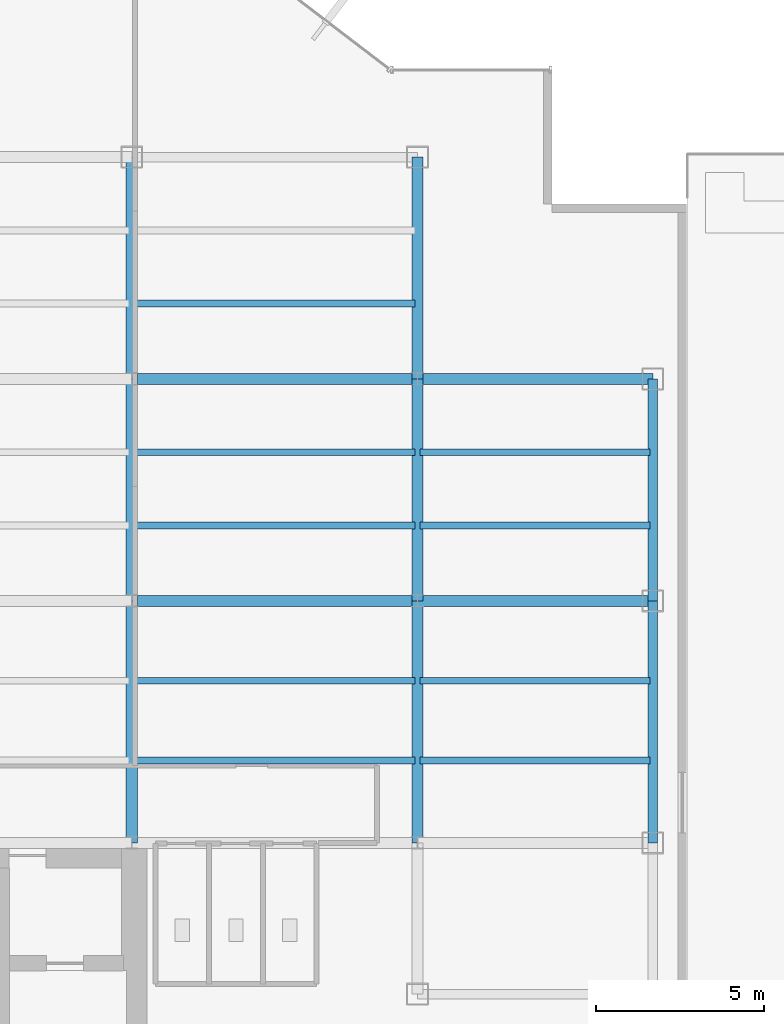
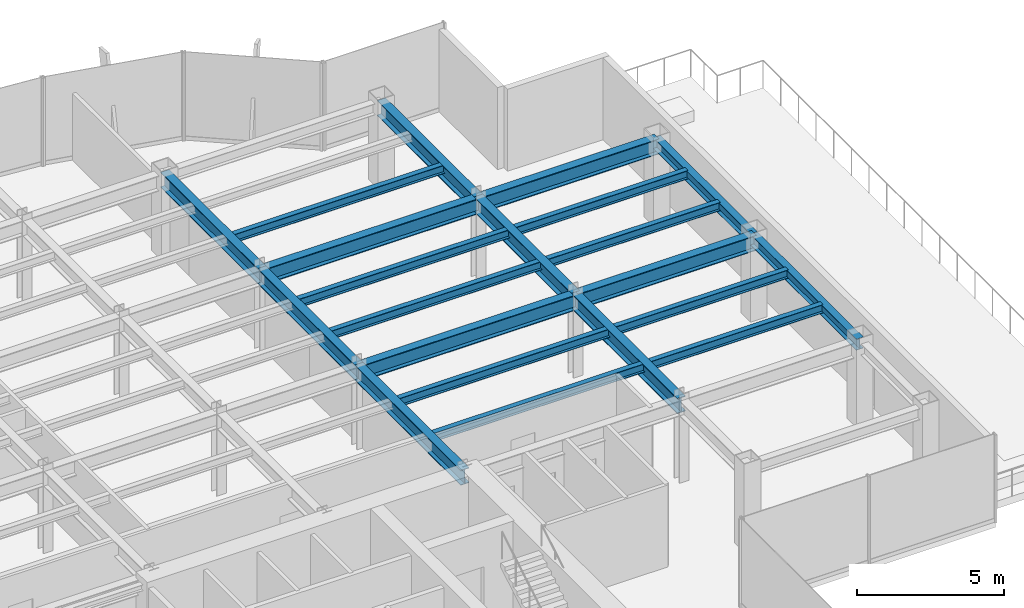
# One storey, part 12 of 23: 21 beams.
"""IFC4 building model written with IfcOpenShell, lengths in metres."""

import ifcopenshell
import ifcopenshell.guid

model = None  # the IFC model being written
_history = None  # IfcOwnerHistory: only IFC2X3 demands one
_inside = {}  # id of a spatial element -> (the spatial element, [elements in it])
_under = {}  # id of a project, library or spatial element -> (it, [spatial elements below it])
_declared = {}  # id of a project -> (the project, [libraries it declares])
_typed = {}  # id of a type object -> (the type object, [elements of that type])
_made_of = {}  # id of a material, layer set ... -> (it, [elements and type objects made of it])


def new_model(schema):
    """Start an empty IFC model of exactly this schema.

    Asked for "IFC4X3", IfcOpenShell would pick the latest addendum, in which some entities
    have other attributes; the version numbers below select the first issue.
    IFC2X3 requires an IfcOwnerHistory on every rooted entity: one is made here for all.
    """
    global model, _history
    if schema == "IFC4X3":
        model = ifcopenshell.file(schema_version=(4, 3, 0, 0))
    else:
        model = ifcopenshell.file(schema=schema)
    _inside.clear()
    _under.clear()
    _declared.clear()
    _typed.clear()
    _made_of.clear()
    _history = None
    if model.schema == "IFC2X3":
        org = make("IfcOrganization", Name="unknown")
        user = make(
            "IfcPersonAndOrganization",
            ThePerson=make("IfcPerson", FamilyName="unknown"),
            TheOrganization=org,
        )
        app = make(
            "IfcApplication",
            ApplicationDeveloper=org,
            Version="unknown",
            ApplicationFullName="unknown",
            ApplicationIdentifier="unknown",
        )
        _history = make(
            "IfcOwnerHistory",
            OwningUser=user,
            OwningApplication=app,
            ChangeAction="ADDED",
            CreationDate=0,
        )
    return model


def make(cls, **values):
    """One entity of the class cls with the attributes given. An attribute that is None is left unset."""
    return model.create_entity(
        cls, **{name: value for name, value in values.items() if value is not None}
    )


def rooted(cls, **values):
    """An entity with a GlobalId (a new one), such as an element, a storey or a relation."""
    return make(cls, GlobalId=ifcopenshell.guid.new(), OwnerHistory=_history, **values)


def si_unit(unit_type, name, prefix=None):
    """IfcSIUnit, for example si_unit("LENGTHUNIT", "METRE", prefix="MILLI")."""
    return make("IfcSIUnit", UnitType=unit_type, Prefix=prefix, Name=name)


def derived_unit(unit_type, elements):
    """IfcDerivedUnit: a product of units, each with its exponent."""
    return make(
        "IfcDerivedUnit",
        Elements=[
            make("IfcDerivedUnitElement", Unit=unit, Exponent=power)
            for unit, power in elements
        ],
        UnitType=unit_type,
    )


def assignment(units):
    """IfcUnitAssignment: the units of a project."""
    return None if units is None else make("IfcUnitAssignment", Units=units)


def point(xyz):
    """IfcCartesianPoint."""
    return None if xyz is None else make("IfcCartesianPoint", Coordinates=xyz)


def direction(xyz):
    """IfcDirection."""
    return None if xyz is None else make("IfcDirection", DirectionRatios=xyz)


def frame(location, z_axis=None, x_axis=None):
    """IfcAxis2Placement3D, a coordinate frame: its origin and axes. An axis left out is left unset."""
    return make(
        "IfcAxis2Placement3D",
        Location=point(location),
        Axis=direction(z_axis),
        RefDirection=direction(x_axis),
    )


def frame_2d(location, x_axis=None):
    """IfcAxis2Placement2D, a coordinate frame in the plane: its origin and x axis."""
    return make(
        "IfcAxis2Placement2D", Location=point(location), RefDirection=direction(x_axis)
    )


def origin():
    """The frame at (0, 0, 0) with its axes left unset."""
    return frame((0.0, 0.0, 0.0))


def origin_2d():
    """The frame at (0, 0) in the plane with its x axis left unset."""
    return frame_2d((0.0, 0.0))


def place(relative_to, where):
    """IfcLocalPlacement: puts the frame where relative to a parent placement (None: the world)."""
    return make(
        "IfcLocalPlacement", PlacementRelTo=relative_to, RelativePlacement=where
    )


def context(
    kind, dimensions, precision=None, world=None, true_north=None, identifier=None
):
    """IfcGeometricRepresentationContext, for example the 3D "Model" context."""
    return make(
        "IfcGeometricRepresentationContext",
        ContextIdentifier=identifier,
        ContextType=kind,
        CoordinateSpaceDimension=dimensions,
        Precision=precision,
        WorldCoordinateSystem=world,
        TrueNorth=true_north,
    )


def subcontext(parent, identifier, kind, view, scale=None):
    """IfcGeometricRepresentationSubContext, for example "Body" below "Model"."""
    return make(
        "IfcGeometricRepresentationSubContext",
        ContextIdentifier=identifier,
        ContextType=kind,
        ParentContext=parent,
        TargetScale=scale,
        TargetView=view,
    )


def project(units=None, contexts=None):
    """IfcProject with its units and contexts."""
    return rooted(
        "IfcProject",
        Name="project",
        RepresentationContexts=contexts,
        UnitsInContext=assignment(units),
    )


def spatial(cls, under=None, at=None, **own):
    """A site, building, storey or space (cls), placed at a placement, below another one or the project."""
    s = rooted(cls, ObjectPlacement=at, **own)
    if under is not None:
        _under.setdefault(under.id(), (under, []))[1].append(s)
    return s


def profile(cls, at=None, kind="AREA", **sizes):
    """A parametric profile (cls). Its sizes go by their IFC names, for example OverallWidth=200.0."""
    return make(cls, ProfileType=kind, Position=at, **sizes)


def i_section(**sizes):
    """IfcIShapeProfileDef."""
    return profile("IfcIShapeProfileDef", **sizes)


def extrude(swept, where, along, depth):
    """IfcExtrudedAreaSolid: the profile swept, set in the frame where, extruded along a direction by depth."""
    return make(
        "IfcExtrudedAreaSolid",
        SweptArea=swept,
        Position=where,
        ExtrudedDirection=direction(along),
        Depth=depth,
    )


def shape(context_of_items, identifier, shape_type, items):
    """IfcShapeRepresentation: the items that make up one representation, for example the "Body"."""
    return make(
        "IfcShapeRepresentation",
        ContextOfItems=context_of_items,
        RepresentationIdentifier=identifier,
        RepresentationType=shape_type,
        Items=items,
    )


def source(mapping_origin, context_of_items, identifier, shape_type, items):
    """IfcRepresentationMap: a shape defined once, which mapped items show again and again."""
    return make(
        "IfcRepresentationMap",
        MappingOrigin=mapping_origin,
        MappedRepresentation=shape(context_of_items, identifier, shape_type, items),
    )


def transform(
    local_origin,
    x_axis=None,
    y_axis=None,
    z_axis=None,
    scale=None,
    scale2=None,
    scale3=None,
    uniform=True,
):
    """IfcCartesianTransformationOperator3D, or its non-uniform kind. x_axis, y_axis, z_axis: its Axis1, 2, 3."""
    if uniform:
        return make(
            "IfcCartesianTransformationOperator3D",
            Axis1=direction(x_axis),
            Axis2=direction(y_axis),
            LocalOrigin=point(local_origin),
            Scale=scale,
            Axis3=direction(z_axis),
        )
    return make(
        "IfcCartesianTransformationOperator3DnonUniform",
        Axis1=direction(x_axis),
        Axis2=direction(y_axis),
        LocalOrigin=point(local_origin),
        Scale=scale,
        Axis3=direction(z_axis),
        Scale2=scale2,
        Scale3=scale3,
    )


def mapped(mapping_source, mapping_target):
    """IfcMappedItem: shows the shape of a source again, moved by a transform."""
    return make(
        "IfcMappedItem", MappingSource=mapping_source, MappingTarget=mapping_target
    )


def material(Name=None, Category=None):
    """IfcMaterial."""
    return make("IfcMaterial", Name=Name, Category=Category)


def material_profile(
    of_material, cross_section, Name=None, Category=None, Priority=None
):
    """IfcMaterialProfile: a cross section and its material."""
    return make(
        "IfcMaterialProfile",
        Name=Name,
        Material=of_material,
        Profile=cross_section,
        Priority=Priority,
        Category=Category,
    )


def profile_set(profiles, Name=None, composite=None):
    """IfcMaterialProfileSet."""
    return make(
        "IfcMaterialProfileSet",
        Name=Name,
        MaterialProfiles=profiles,
        CompositeProfile=composite,
    )


def made_of(thing, what):
    """Note that an element or type object is made of a material, layer set ...; save() writes the relation."""
    if what is not None:
        _made_of.setdefault(what.id(), (what, []))[1].append(thing)
    return thing


def type_object(cls, material=None, **own):
    """A type object (cls), such as IfcWallType, which elements share."""
    return made_of(rooted(cls, **own), material)


def element(
    cls,
    number,
    at=None,
    inside=None,
    cuts=None,
    type_object=None,
    material=None,
    context=None,
    identifier="Body",
    shape_type=None,
    held_by="IfcProductDefinitionShape",
    body=None,
    shapes=None,
    **own,
):
    """One element of the class cls, such as IfcWall. Its Tag is "e" and its number.

    at: its placement. inside: the storey or other place that contains it. cuts: it is an
    opening in that element (IfcRelVoidsElement). A single representation is given by context,
    identifier, shape_type and body (its items); several are given by shapes. held_by: the class
    of the entity that holds the representations. save() writes the other relations.
    """
    e = rooted(cls, Tag="e%d" % number, ObjectPlacement=at, **own)
    if body is not None:
        shapes = [shape(context, identifier, shape_type, body)]
    if shapes is not None:
        e.Representation = make(held_by, Representations=shapes)
    if inside is not None:
        _inside.setdefault(inside.id(), (inside, []))[1].append(e)
    if cuts is not None:
        rooted(
            "IfcRelVoidsElement", RelatingBuildingElement=cuts, RelatedOpeningElement=e
        )
    if type_object is not None:
        _typed.setdefault(type_object.id(), (type_object, []))[1].append(e)
    return made_of(e, material)


def aggregate(whole, parts):
    """IfcRelAggregates: a whole, such as a stair, and the parts it consists of."""
    return rooted("IfcRelAggregates", RelatingObject=whole, RelatedObjects=parts)


def save(model, path):
    """Write the relations noted so far, then the file.

    IfcRelAggregates (storeys below a building ...), IfcRelContainedInSpatialStructure (elements
    in a storey), IfcRelDefinesByType, IfcRelAssociatesMaterial and IfcRelDeclares: one each for
    every whole, place, type object, material and project.
    """
    for whole, parts in _under.values():
        aggregate(whole, parts)
    for where, things in _inside.values():
        rooted(
            "IfcRelContainedInSpatialStructure",
            RelatedElements=things,
            RelatingStructure=where,
        )
    for kind, things in _typed.values():
        rooted("IfcRelDefinesByType", RelatedObjects=things, RelatingType=kind)
    for what, things in _made_of.values():
        rooted("IfcRelAssociatesMaterial", RelatedObjects=things, RelatingMaterial=what)
    for by, libraries in _declared.values():
        rooted("IfcRelDeclares", RelatingContext=by, RelatedDefinitions=libraries)
    model.write(path)


model = new_model("IFC4")

# Units and contexts
model_context = context("Model", 3, precision=1e-05, world=origin(), true_north=direction((0.0, 1.0)))
body_context = subcontext(model_context, "Body", "Model", "MODEL_VIEW")
ifc_project = project(units=[si_unit("LENGTHUNIT", "METRE"), si_unit("AREAUNIT", "SQUARE_METRE"), si_unit("VOLUMEUNIT", "CUBIC_METRE"), si_unit("PLANEANGLEUNIT", "RADIAN"), si_unit("MASSUNIT", "GRAM", prefix="KILO"), derived_unit("THERMALTRANSMITTANCEUNIT", [(si_unit("POWERUNIT", "WATT"), 1), (si_unit("LENGTHUNIT", "METRE"), -2), (si_unit("THERMODYNAMICTEMPERATUREUNIT", "KELVIN"), -1)])], contexts=[model_context])

# Site, building, storey
site_placement = place(None, origin())
site = spatial("IfcSite", under=ifc_project, at=site_placement, CompositionType="ELEMENT")
building_placement = place(site_placement, origin())
building = spatial("IfcBuilding", under=site, at=building_placement, Name="Skarnbrae Concourse Arena and Tower", CompositionType="ELEMENT")
storey_placement = place(building_placement, frame((0.0, 0.0, 140.60009765625)))
storey = spatial("IfcBuildingStorey", under=building, at=storey_placement, Name="L35", CompositionType="ELEMENT", Elevation=140.60009765625)

# Beams
ifc_material = material(Name="Steel CSA G40.21 350W", Category="steel")
ifc_material_profile_1 = material_profile(ifc_material, i_section(OverallWidth=0.3291015625, OverallDepth=0.635009765625, WebThickness=0.017822265625, FlangeThickness=0.031005859375, at=origin_2d()), Name="W610X241")
ifc_profile_set_1 = profile_set([ifc_material_profile_1], Name="Steel CSA G40.21 350W")
beam_type_1 = type_object("IfcBeamType", Name="BM-GIRD-W610X241", PredefinedType="BEAM", material=ifc_profile_set_1)
shared_shape_1 = source(origin(), body_context, "Body", "SweptSolid", [
    extrude(i_section(OverallWidth=0.3291015625, OverallDepth=0.635009765625, WebThickness=0.017822265625, FlangeThickness=0.031005859375, at=origin_2d()), origin(), (0.0, 0.0, 1.0), 6.60009765625),
])
for number, where, z_axis, x_axis, name in (
    (1, (33.5, 21.199951171875, 3.08251953125), (0.0, 1.0, 0.0), (-1.0, 0.0, 0.0), "L35 Primary N-S girder X33.5-2"),
    (2, (42.0, 21.199951171875, 3.08251953125), (0.0, 1.0, 0.0), (-1.0, 0.0, 0.0), "L35 Primary N-S girder X42.0-3"),
):
    element("IfcBeam", number, at=place(storey_placement, frame(where, z_axis=z_axis, x_axis=x_axis)), inside=storey, type_object=beam_type_1, Name=name, PredefinedType="BEAM", context=body_context, shape_type="MappedRepresentation", body=[
        mapped(shared_shape_1, transform((0.0, 0.0, 0.0))),
    ])
shared_shape_2 = source(origin(), body_context, "Body", "SweptSolid", [
    extrude(i_section(OverallWidth=0.3291015625, OverallDepth=0.635009765625, WebThickness=0.017822265625, FlangeThickness=0.031005859375, at=origin_2d()), origin(), (0.0, 0.0, 1.0), 8.5),
])
for number, where, z_axis, x_axis, name in (
    (3, (33.5, 21.199951171875, 3.08251953125), (1.0, 0.0, 0.0), (0.0, 1.0, 0.0), "L35 Primary E-W girder Y21.2-6"),
    (4, (33.5, 27.800048828125, 3.08251953125), (1.0, 0.0, 0.0), (0.0, 1.0, 0.0), "L35 Primary E-W girder Y27.8-6"),
):
    element("IfcBeam", number, at=place(storey_placement, frame(where, z_axis=z_axis, x_axis=x_axis)), inside=storey, type_object=beam_type_1, Name=name, PredefinedType="BEAM", context=body_context, shape_type="MappedRepresentation", body=[
        mapped(shared_shape_2, transform((0.0, 0.0, 0.0))),
    ])
shared_shape_3 = source(origin(), body_context, "Body", "SweptSolid", [
    extrude(i_section(OverallWidth=0.3291015625, OverallDepth=0.635009765625, WebThickness=0.017822265625, FlangeThickness=0.031005859375, at=origin_2d()), origin(), (0.0, 0.0, 1.0), 7.0),
])
for number, where, z_axis, x_axis, name in (
    (5, (42.0, 21.199951171875, 3.08251953125), (1.0, 0.0, 0.0), (0.0, 1.0, 0.0), "L35 Primary E-W girder Y21.2-7"),
    (6, (42.0, 27.800048828125, 3.08251953125), (1.0, 0.0, 0.0), (0.0, 1.0, 0.0), "L35 Primary E-W girder Y27.8-7"),
):
    element("IfcBeam", number, at=place(storey_placement, frame(where, z_axis=z_axis, x_axis=x_axis)), inside=storey, type_object=beam_type_1, Name=name, PredefinedType="BEAM", context=body_context, shape_type="MappedRepresentation", body=[
        mapped(shared_shape_3, transform((0.0, 0.0, 0.0))),
    ])
ifc_material_profile_2 = material_profile(ifc_material, i_section(OverallWidth=0.280029296875, OverallDepth=0.462890625, WebThickness=0.0107421875, FlangeThickness=0.017333984375, at=origin_2d()), Name="W460X113")
ifc_profile_set_2 = profile_set([ifc_material_profile_2], Name="Steel CSA G40.21 350W")
beam_type_2 = type_object("IfcBeamType", Name="BM-SPAN-W460X113", PredefinedType="SPANDREL", material=ifc_profile_set_2)
shared_shape_4 = source(origin(), body_context, "Body", "SweptSolid", [
    extrude(i_section(OverallWidth=0.280029296875, OverallDepth=0.462890625, WebThickness=0.0107421875, FlangeThickness=0.017333984375, at=origin_2d()), origin(), (0.0, 0.0, 1.0), 7.199951171875),
])
beam_1_placement = place(storey_placement, frame((49.0, 14.0, 3.16845703125), z_axis=(0.0, 1.0, 0.0), x_axis=(-1.0, 0.0, 0.0)))
element("IfcBeam", 7, at=beam_1_placement, inside=storey, type_object=beam_type_2, Name="L35 Perimeter spandrel X49.0-2", PredefinedType="SPANDREL", context=body_context, shape_type="MappedRepresentation", body=[
    mapped(shared_shape_4, transform((0.0, 0.0, 0.0))),
])
shared_shape_5 = source(origin(), body_context, "Body", "SweptSolid", [
    extrude(i_section(OverallWidth=0.280029296875, OverallDepth=0.462890625, WebThickness=0.0107421875, FlangeThickness=0.017333984375, at=origin_2d()), origin(), (0.0, 0.0, 1.0), 6.60009765625),
])
beam_2_placement = place(storey_placement, frame((49.0, 21.199951171875, 3.16845703125), z_axis=(0.0, 1.0, 0.0), x_axis=(-1.0, 0.0, 0.0)))
element("IfcBeam", 8, at=beam_2_placement, inside=storey, type_object=beam_type_2, Name="L35 Perimeter spandrel X49.0-3", PredefinedType="SPANDREL", context=body_context, shape_type="MappedRepresentation", body=[
    mapped(shared_shape_5, transform((0.0, 0.0, 0.0))),
])
shared_shape_6 = source(origin(), body_context, "Body", "SweptSolid", [
    extrude(i_section(OverallWidth=0.3291015625, OverallDepth=0.635009765625, WebThickness=0.017822265625, FlangeThickness=0.031005859375, at=origin_2d()), origin(), (0.0, 0.0, 1.0), 7.199951171875),
])
for number, where, z_axis, x_axis, name in (
    (9, (33.5, 14.0, 3.08251953125), (0.0, 1.0, 0.0), (-1.0, 0.0, 0.0), "L35 Primary N-S girder X33.5-1"),
    (10, (42.0, 14.0, 3.08251953125), (0.0, 1.0, 0.0), (-1.0, 0.0, 0.0), "L35 Primary N-S girder X42.0-2"),
):
    element("IfcBeam", number, at=place(storey_placement, frame(where, z_axis=z_axis, x_axis=x_axis)), inside=storey, type_object=beam_type_1, Name=name, PredefinedType="BEAM", context=body_context, shape_type="MappedRepresentation", body=[
        mapped(shared_shape_6, transform((0.0, 0.0, 0.0))),
    ])
shared_shape_7 = source(origin(), body_context, "Body", "SweptSolid", [
    extrude(i_section(OverallWidth=0.3291015625, OverallDepth=0.635009765625, WebThickness=0.017822265625, FlangeThickness=0.031005859375, at=origin_2d()), origin(), (0.0, 0.0, 1.0), 6.599853515625),
])
for number, where, z_axis, x_axis, name in (
    (11, (33.5, 27.800048828125, 3.08251953125), (0.0, 1.0, 0.0), (-1.0, 0.0, 0.0), "L35 Primary N-S girder X33.5-3"),
    (12, (42.0, 27.800048828125, 3.08251953125), (0.0, 1.0, 0.0), (-1.0, 0.0, 0.0), "L35 Primary N-S girder X42.0-4"),
):
    element("IfcBeam", number, at=place(storey_placement, frame(where, z_axis=z_axis, x_axis=x_axis)), inside=storey, type_object=beam_type_1, Name=name, PredefinedType="BEAM", context=body_context, shape_type="MappedRepresentation", body=[
        mapped(shared_shape_7, transform((0.0, 0.0, 0.0))),
    ])
ifc_material_profile_3 = material_profile(ifc_material, i_section(OverallWidth=0.205078125, OverallDepth=0.35400390625, WebThickness=0.009521484375, FlangeThickness=0.016845703125, at=origin_2d()), Name="W360X79")
ifc_profile_set_3 = profile_set([ifc_material_profile_3], Name="Steel CSA G40.21 350W")
beam_type_3 = type_object("IfcBeamType", Name="BM-JOIST-W360X79", PredefinedType="JOIST", material=ifc_profile_set_3)
shared_shape_8 = source(origin(), body_context, "Body", "SweptSolid", [
    extrude(i_section(OverallWidth=0.205078125, OverallDepth=0.35400390625, WebThickness=0.009521484375, FlangeThickness=0.016845703125, at=origin_2d()), origin(), (0.0, 0.0, 1.0), 8.33984375),
])
for number, where, z_axis, x_axis, name in (
    (13, (33.580078125, 16.447998046875, 3.222900390625), (1.0, 0.0, 0.0), (0.0, 1.0, 0.0), "L35 Secondary floor joist 1.1.6"),
    (14, (33.580078125, 18.823974609375, 3.222900390625), (1.0, 0.0, 0.0), (0.0, 1.0, 0.0), "L35 Secondary floor joist 1.2.6"),
    (15, (33.580078125, 23.444091796875, 3.222900390625), (1.0, 0.0, 0.0), (0.0, 1.0, 0.0), "L35 Secondary floor joist 2.1.6"),
    (16, (33.580078125, 25.6220703125, 3.222900390625), (1.0, 0.0, 0.0), (0.0, 1.0, 0.0), "L35 Secondary floor joist 2.2.6"),
    (17, (33.580078125, 30.0439453125, 3.222900390625), (1.0, 0.0, 0.0), (0.0, 1.0, 0.0), "L35 Secondary floor joist 3.1.5"),
):
    element("IfcBeam", number, at=place(storey_placement, frame(where, z_axis=z_axis, x_axis=x_axis)), inside=storey, type_object=beam_type_3, Name=name, PredefinedType="JOIST", context=body_context, shape_type="MappedRepresentation", body=[
        mapped(shared_shape_8, transform((0.0, 0.0, 0.0))),
    ])
shared_shape_9 = source(origin(), body_context, "Body", "SweptSolid", [
    extrude(i_section(OverallWidth=0.205078125, OverallDepth=0.35400390625, WebThickness=0.009521484375, FlangeThickness=0.016845703125, at=origin_2d()), origin(), (0.0, 0.0, 1.0), 6.83984375),
])
for number, where, z_axis, x_axis, name in (
    (18, (42.080078125, 16.447998046875, 3.222900390625), (1.0, 0.0, 0.0), (0.0, 1.0, 0.0), "L35 Secondary floor joist 1.1.7"),
    (19, (42.080078125, 18.823974609375, 3.222900390625), (1.0, 0.0, 0.0), (0.0, 1.0, 0.0), "L35 Secondary floor joist 1.2.7"),
    (20, (42.080078125, 23.444091796875, 3.222900390625), (1.0, 0.0, 0.0), (0.0, 1.0, 0.0), "L35 Secondary floor joist 2.1.7"),
    (21, (42.080078125, 25.6220703125, 3.222900390625), (1.0, 0.0, 0.0), (0.0, 1.0, 0.0), "L35 Secondary floor joist 2.2.7"),
):
    element("IfcBeam", number, at=place(storey_placement, frame(where, z_axis=z_axis, x_axis=x_axis)), inside=storey, type_object=beam_type_3, Name=name, PredefinedType="JOIST", context=body_context, shape_type="MappedRepresentation", body=[
        mapped(shared_shape_9, transform((0.0, 0.0, 0.0))),
    ])

save(model, "model.ifc")
